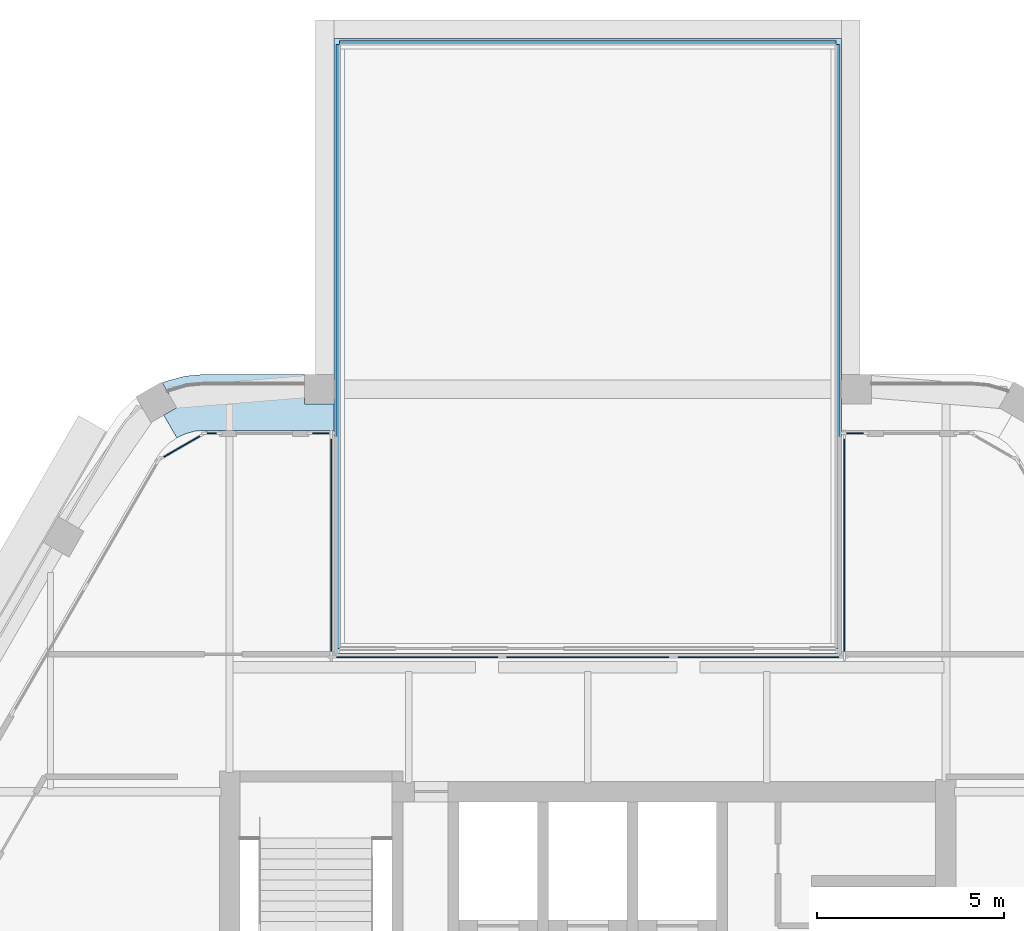
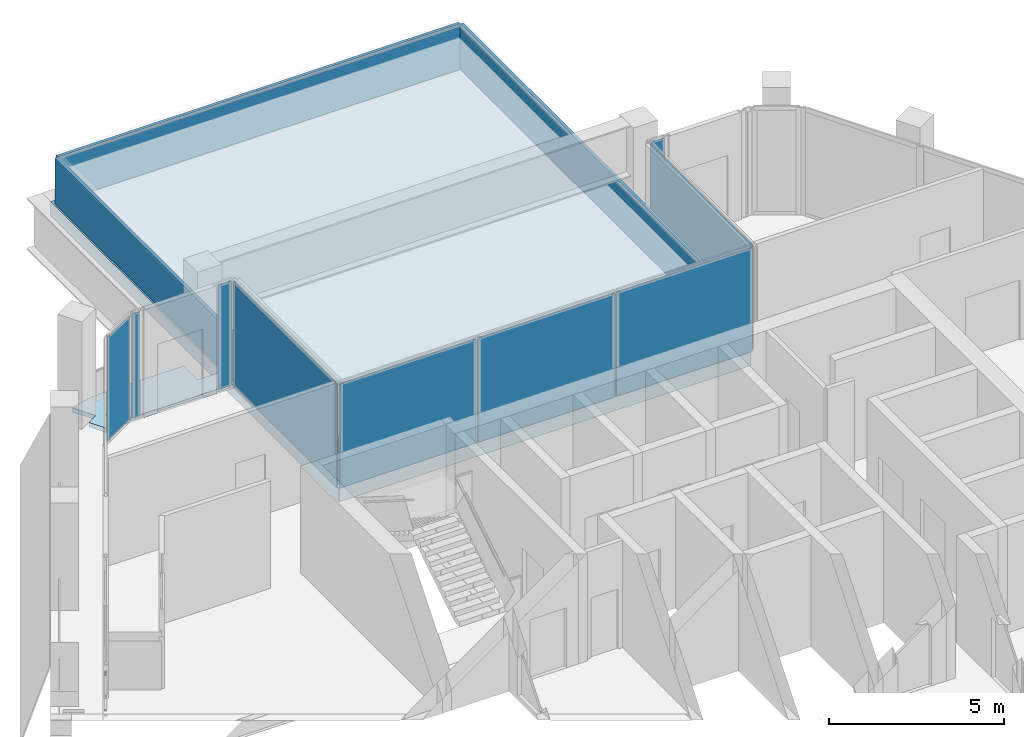
# One storey, part 8 of 16: 12 plates, 2 slabs, 7 elements without a shape of their own.
"""IFC4 building model written with IfcOpenShell, lengths in metres."""

from ifc_helpers import new_model, si_unit, direction, frame, origin, origin_2d, place, context, subcontext, project, spatial, polyline, rectangle, outline, extrude, material, layer, layer_set, type_object, element, aggregate, save


model = new_model("IFC4")

# Units and contexts
model_context = context("Model", 3, precision=1e-05, world=origin(), true_north=direction((0.0, 1.0)))
body_context = subcontext(model_context, "Body", "Model", "MODEL_VIEW")
ifc_project = project(units=[si_unit("LENGTHUNIT", "METRE"), si_unit("AREAUNIT", "SQUARE_METRE"), si_unit("VOLUMEUNIT", "CUBIC_METRE"), si_unit("PLANEANGLEUNIT", "RADIAN"), si_unit("MASSUNIT", "GRAM", prefix="KILO")], contexts=[model_context])

# Site, building, storey
site_placement = place(None, origin())
site = spatial("IfcSite", under=ifc_project, at=site_placement, CompositionType="ELEMENT")
building_placement = place(site_placement, origin())
building = spatial("IfcBuilding", under=site, at=building_placement, Name="Kolab Exchange Tower", CompositionType="ELEMENT")
storey_placement = place(building_placement, frame((0.0, 0.0, 269.60009765625)))
storey = spatial("IfcBuildingStorey", under=building, at=storey_placement, Name="L60", CompositionType="ELEMENT", Elevation=269.60009765625)

# Slab
ifc_material_1 = material(Name="Concrete C35/45", Category="concrete")
ifc_layer_1 = layer(ifc_material_1, 0.14990234375)
ifc_layer_set_1 = layer_set([ifc_layer_1], Name="Concrete C35/45")
slab_type_1 = type_object("IfcSlabType", Name="LOGGIA SLAB 150", PredefinedType="FLOOR", material=ifc_layer_set_1)
slab_1_placement = place(storey_placement, frame((0.0, 0.0, -0.150146484375)))
element("IfcSlab", 1, at=slab_1_placement, inside=storey, type_object=slab_type_1, Name="slab/L60/loggia/0-0", PredefinedType="FLOOR", context=body_context, shape_type="SweptSolid", body=[
    extrude(outline(polyline([(-6.800048828125, 19.28466796875), (-6.800048828125, 19.984619140625), (-7.60009765625, 19.984619140625), (-7.60009765625, 20.78466796875), (-10.26806640625, 20.78466796875), (-10.788818359375, 20.739013671875), (-11.2939453125, 20.603759765625), (-11.404052734375, 20.552490234375), (-11.021484375, 19.889892578125), (-11.367919921875, 19.68994140625), (-11.01806640625, 19.083740234375), (-10.781005859375, 19.194091796875), (-10.5283203125, 19.26171875), (-10.26806640625, 19.28466796875), (-6.800048828125, 19.28466796875)])), origin(), (0.0, 0.0, 1.0), 0.150146484375),
])

# Plates
ifc_material_2 = material(Name="Structural glass, two-ply", Category="glass")
ifc_layer_2 = layer(ifc_material_2, 0.10009765625)
ifc_layer_set_2 = layer_set([ifc_layer_2], Name="Structural glass, two-ply")
plate_type_1 = type_object("IfcPlateType", Name="SKY POOL GLASS SHEET 100", PredefinedType="SHEET", material=ifc_layer_set_2)
plate_1_placement = place(storey_placement, frame((-6.64990234375, 13.4345703125, 0.0), z_axis=(1.0, 0.0, 0.0), x_axis=(0.0, 1.0, 0.0)))
element("IfcPlate", 2, at=plate_1_placement, inside=storey, type_object=plate_type_1, Name="Pool glass", PredefinedType="SHEET", context=body_context, shape_type="SweptSolid", body=[
    extrude(outline(polyline([(0.0, 0.0), (16.199951171875, 0.0), (16.199951171875, 1.599853515625), (0.0, 1.599853515625), (0.0, 0.0)])), origin(), (0.0, 0.0, -1.0), 0.10009765625),
])
plate_2_placement = place(storey_placement, frame((-6.64990234375, 29.634521484375, 0.0), z_axis=(0.0, -1.0, 0.0), x_axis=(1.0, 0.0, 0.0)))
element("IfcPlate", 3, at=plate_2_placement, inside=storey, type_object=plate_type_1, Name="Pool glass", PredefinedType="SHEET", context=body_context, shape_type="SweptSolid", body=[
    extrude(outline(polyline([(0.0, 0.0), (13.2998046875, 0.0), (13.2998046875, 1.599853515625), (0.0, 1.599853515625), (0.0, 0.0)])), origin(), (0.0, 0.0, -1.0), 0.10009765625),
])
plate_3_placement = place(storey_placement, frame((6.64990234375, 29.634521484375, 0.0), z_axis=(-1.0, 0.0, 0.0), x_axis=(0.0, -1.0, 0.0)))
element("IfcPlate", 4, at=plate_3_placement, inside=storey, type_object=plate_type_1, Name="Pool glass", PredefinedType="SHEET", context=body_context, shape_type="SweptSolid", body=[
    extrude(outline(polyline([(0.0, 0.0), (16.199951171875, 0.0), (16.199951171875, 1.599853515625), (0.0, 1.599853515625), (0.0, 0.0)])), origin(), (0.0, 0.0, -1.0), 0.10009765625),
])

# Slab
ifc_layer_3 = layer(ifc_material_1, 0.5)
ifc_layer_set_3 = layer_set([ifc_layer_3], Name="Concrete C35/45")
slab_type_2 = type_object("IfcSlabType", Name="TERRACE SLAB 500 SKY POOL BASIN", PredefinedType="ROOF", material=ifc_layer_set_3)
slab_2_placement = place(storey_placement, frame((0.0, 0.0, -0.5)))
element("IfcSlab", 5, at=slab_2_placement, inside=storey, type_object=slab_type_2, Name="slab/L60/pool/0", PredefinedType="ROOF", context=body_context, shape_type="SweptSolid", body=[
    extrude(outline(polyline([(6.800048828125, 13.28466796875), (6.800048828125, 19.984619140625), (6.800048828125, 20.78466796875), (6.800048828125, 29.78466796875), (-6.800048828125, 29.78466796875), (-6.800048828125, 20.78466796875), (-6.800048828125, 19.984619140625), (-6.800048828125, 13.28466796875), (6.800048828125, 13.28466796875)])), origin(), (0.0, 0.0, 1.0), 0.5),
])

# Curtain wall, plate
ifc_material_3 = material(Name="Aluminium EN AW-6063 T6", Category="aluminium")
curtain_wall_type = type_object("IfcCurtainWallType", Name="UNITISED HIGH ZONE CURTAIN WALL", PredefinedType="NOTDEFINED", material=ifc_material_3)
curtain_wall_1_placement = place(storey_placement, origin())
curtain_wall_1 = element("IfcCurtainWall", 6, at=curtain_wall_1_placement, inside=storey, type_object=curtain_wall_type, Name="cw/L60/F1-l-1", PredefinedType="NOTDEFINED")
ifc_material_4 = material(Name="Clear insulated glazing unit", Category="glass")
ifc_layer_4 = layer(ifc_material_4, 0.030029296875)
ifc_layer_set_4 = layer_set([ifc_layer_4], Name="Clear insulated glazing unit")
plate_type_2 = type_object("IfcPlateType", Name="UNITISED HIGH ZONE GLASS PANEL 30", PredefinedType="CURTAIN_PANEL", material=ifc_layer_set_4)
plate_4_placement = place(storey_placement, frame((-10.0830078125, 19.20458984375, 0.06005859375), z_axis=(0.0, 0.0, 1.0), x_axis=(1.0, 0.0, 0.0)))
plate_4 = element("IfcPlate", 7, at=plate_4_placement, type_object=plate_type_2, Name="CW4 panel 1.1", PredefinedType="CURTAIN_PANEL", context=body_context, shape_type="SweptSolid", body=[
    extrude(rectangle(XDim=0.25, YDim=0.030029296875, at=origin_2d()), origin(), (0.0, 0.0, 1.0), 3.6298828125),
])
aggregate(curtain_wall_1, [plate_4])

curtain_wall_2_placement = place(storey_placement, origin())
curtain_wall_2 = element("IfcCurtainWall", 8, at=curtain_wall_2_placement, inside=storey, type_object=curtain_wall_type, Name="cw/L60/F1-l-2", PredefinedType="NOTDEFINED")
plate_5_placement = place(storey_placement, frame((-7.158935546875, 19.20458984375, 0.06005859375), z_axis=(0.0, 0.0, 1.0), x_axis=(1.0, 0.0, 0.0)))
plate_5 = element("IfcPlate", 9, at=plate_5_placement, type_object=plate_type_2, Name="CW4 panel 1.1", PredefinedType="CURTAIN_PANEL", context=body_context, shape_type="SweptSolid", body=[
    extrude(rectangle(XDim=0.43798828125, YDim=0.030029296875, at=origin_2d()), origin(), (0.0, 0.0, 1.0), 3.6298828125),
])
aggregate(curtain_wall_2, [plate_5])

curtain_wall_3_placement = place(storey_placement, origin())
curtain_wall_3 = element("IfcCurtainWall", 10, at=curtain_wall_3_placement, inside=storey, type_object=curtain_wall_type, Name="cw/L60/F1-rl-1", PredefinedType="NOTDEFINED")
plate_6_placement = place(storey_placement, frame((-6.8798828125, 16.20458984375, 0.06005859375), z_axis=(0.0, 0.0, 1.0), x_axis=(0.0, -1.0, 0.0)))
plate_6 = element("IfcPlate", 11, at=plate_6_placement, type_object=plate_type_2, Name="CW4 panel 1.1", PredefinedType="CURTAIN_PANEL", context=body_context, shape_type="SweptSolid", body=[
    extrude(rectangle(XDim=5.8798828125, YDim=0.030029296875, at=origin_2d()), origin(), (0.0, 0.0, 1.0), 3.6298828125),
])
aggregate(curtain_wall_3, [plate_6])

# Curtain wall, plates
curtain_wall_4_placement = place(storey_placement, origin())
curtain_wall_4 = element("IfcCurtainWall", 12, at=curtain_wall_4_placement, inside=storey, type_object=curtain_wall_type, Name="cw/L60/F1-back-1", PredefinedType="NOTDEFINED")
plate_7_placement = place(storey_placement, frame((-4.57177734375, 13.20458984375, 0.06005859375), z_axis=(0.0, 0.0, 1.0), x_axis=(1.0, 0.0, 0.0)))
plate_7 = element("IfcPlate", 13, at=plate_7_placement, type_object=plate_type_2, Name="CW4 panel 1.1", PredefinedType="CURTAIN_PANEL", context=body_context, shape_type="SweptSolid", body=[
    extrude(rectangle(XDim=4.49658203125, YDim=0.030029296875, at=origin_2d()), origin(), (0.0, 0.0, 1.0), 3.6298828125),
])
plate_8_placement = place(storey_placement, frame((0.0, 13.20458984375, 0.06005859375), z_axis=(0.0, 0.0, 1.0), x_axis=(1.0, 0.0, 0.0)))
plate_8 = element("IfcPlate", 14, at=plate_8_placement, type_object=plate_type_2, Name="CW4 panel 2.1", PredefinedType="CURTAIN_PANEL", context=body_context, shape_type="SweptSolid", body=[
    extrude(rectangle(XDim=4.526611328125, YDim=0.030029296875, at=origin_2d()), origin(), (0.0, 0.0, 1.0), 3.6298828125),
])
plate_9_placement = place(storey_placement, frame((4.57177734375, 13.20458984375, 0.06005859375), z_axis=(0.0, 0.0, 1.0), x_axis=(1.0, 0.0, 0.0)))
plate_9 = element("IfcPlate", 15, at=plate_9_placement, type_object=plate_type_2, Name="CW4 panel 3.1", PredefinedType="CURTAIN_PANEL", context=body_context, shape_type="SweptSolid", body=[
    extrude(rectangle(XDim=4.49658203125, YDim=0.030029296875, at=origin_2d()), origin(), (0.0, 0.0, 1.0), 3.6298828125),
])
aggregate(curtain_wall_4, [plate_7, plate_8, plate_9])

# Curtain wall, plate
curtain_wall_5_placement = place(storey_placement, origin())
curtain_wall_5 = element("IfcCurtainWall", 16, at=curtain_wall_5_placement, inside=storey, type_object=curtain_wall_type, Name="cw/L60/F1-rr-1", PredefinedType="NOTDEFINED")
plate_10_placement = place(storey_placement, frame((6.8798828125, 16.20458984375, 0.06005859375), z_axis=(0.0, 0.0, 1.0), x_axis=(0.0, 1.0, 0.0)))
plate_10 = element("IfcPlate", 17, at=plate_10_placement, type_object=plate_type_2, Name="CW4 panel 1.1", PredefinedType="CURTAIN_PANEL", context=body_context, shape_type="SweptSolid", body=[
    extrude(rectangle(XDim=5.8798828125, YDim=0.030029296875, at=origin_2d()), origin(), (0.0, 0.0, 1.0), 3.6298828125),
])
aggregate(curtain_wall_5, [plate_10])

curtain_wall_6_placement = place(storey_placement, origin())
curtain_wall_6 = element("IfcCurtainWall", 18, at=curtain_wall_6_placement, inside=storey, type_object=curtain_wall_type, Name="cw/L60/F1-r-1", PredefinedType="NOTDEFINED")
plate_11_placement = place(storey_placement, frame((7.1650390625, 19.20458984375, 0.06005859375), z_axis=(0.0, 0.0, 1.0), x_axis=(1.0, 0.0, 0.0)))
plate_11 = element("IfcPlate", 19, at=plate_11_placement, type_object=plate_type_2, Name="CW4 panel 1.1", PredefinedType="CURTAIN_PANEL", context=body_context, shape_type="SweptSolid", body=[
    extrude(rectangle(XDim=0.449951171875, YDim=0.030029296875, at=origin_2d()), origin(), (0.0, 0.0, 1.0), 3.6298828125),
])
aggregate(curtain_wall_6, [plate_11])

curtain_wall_7_placement = place(storey_placement, origin())
curtain_wall_7 = element("IfcCurtainWall", 20, at=curtain_wall_7_placement, inside=storey, type_object=curtain_wall_type, Name="cw/L60/F6F1-corner", PredefinedType="NOTDEFINED")
plate_12_placement = place(storey_placement, frame((-10.8828125, 18.849609375, 0.06005859375), z_axis=(0.0, 0.0, 1.0), x_axis=(0.866025390869, 0.50000002237, 0.0)))
plate_12 = element("IfcPlate", 21, at=plate_12_placement, type_object=plate_type_2, Name="CW4 panel 1.1", PredefinedType="CURTAIN_PANEL", context=body_context, shape_type="SweptSolid", body=[
    extrude(rectangle(XDim=1.300048828125, YDim=0.030029296875, at=origin_2d()), origin(), (0.0, 0.0, 1.0), 3.6298828125),
])
aggregate(curtain_wall_7, [plate_12])

save(model, "model.ifc")
